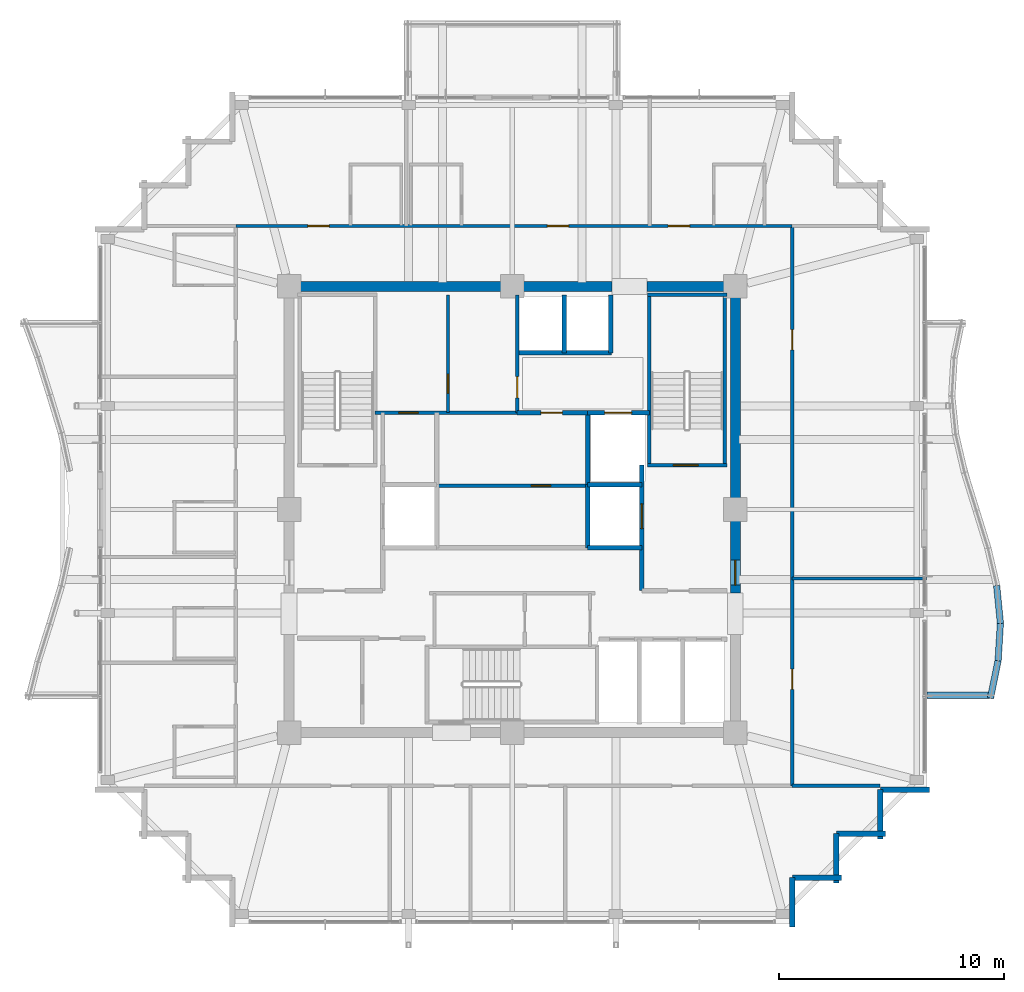
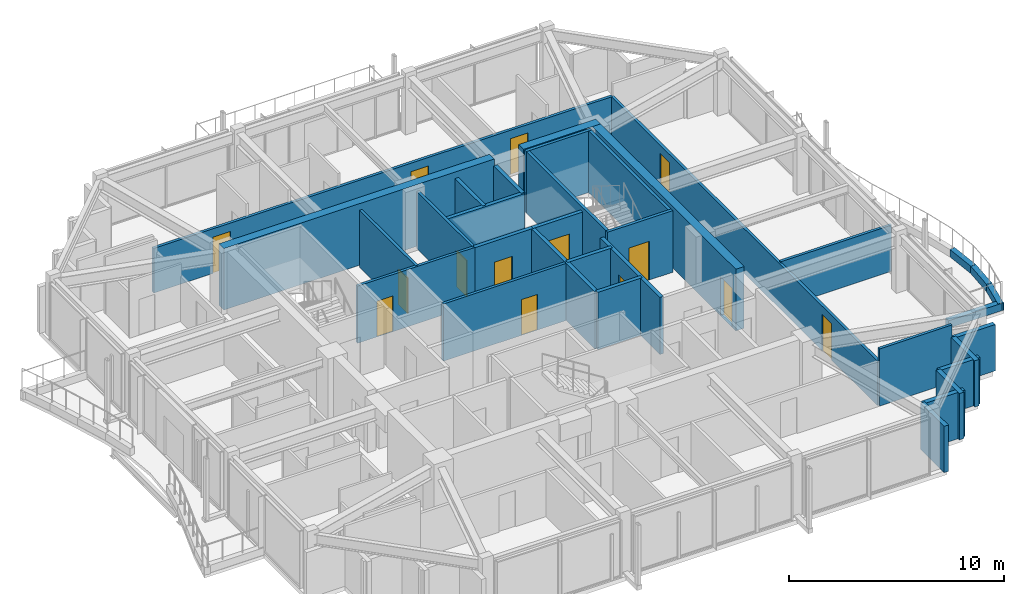
# One storey, part 28 of 31: 35 walls, 14 doors, 14 openings.
"""IFC4 building model written with IfcOpenShell, lengths in metres."""

import ifcopenshell
import ifcopenshell.guid

model = None  # the IFC model being written
_history = None  # IfcOwnerHistory: only IFC2X3 demands one
_inside = {}  # id of a spatial element -> (the spatial element, [elements in it])
_under = {}  # id of a project, library or spatial element -> (it, [spatial elements below it])
_declared = {}  # id of a project -> (the project, [libraries it declares])
_typed = {}  # id of a type object -> (the type object, [elements of that type])
_made_of = {}  # id of a material, layer set ... -> (it, [elements and type objects made of it])


def new_model(schema):
    """Start an empty IFC model of exactly this schema.

    Asked for "IFC4X3", IfcOpenShell would pick the latest addendum, in which some entities
    have other attributes; the version numbers below select the first issue.
    IFC2X3 requires an IfcOwnerHistory on every rooted entity: one is made here for all.
    """
    global model, _history
    if schema == "IFC4X3":
        model = ifcopenshell.file(schema_version=(4, 3, 0, 0))
    else:
        model = ifcopenshell.file(schema=schema)
    _inside.clear()
    _under.clear()
    _declared.clear()
    _typed.clear()
    _made_of.clear()
    _history = None
    if model.schema == "IFC2X3":
        org = make("IfcOrganization", Name="unknown")
        user = make(
            "IfcPersonAndOrganization",
            ThePerson=make("IfcPerson", FamilyName="unknown"),
            TheOrganization=org,
        )
        app = make(
            "IfcApplication",
            ApplicationDeveloper=org,
            Version="unknown",
            ApplicationFullName="unknown",
            ApplicationIdentifier="unknown",
        )
        _history = make(
            "IfcOwnerHistory",
            OwningUser=user,
            OwningApplication=app,
            ChangeAction="ADDED",
            CreationDate=0,
        )
    return model


def make(cls, **values):
    """One entity of the class cls with the attributes given. An attribute that is None is left unset."""
    return model.create_entity(
        cls, **{name: value for name, value in values.items() if value is not None}
    )


def rooted(cls, **values):
    """An entity with a GlobalId (a new one), such as an element, a storey or a relation."""
    return make(cls, GlobalId=ifcopenshell.guid.new(), OwnerHistory=_history, **values)


def si_unit(unit_type, name, prefix=None):
    """IfcSIUnit, for example si_unit("LENGTHUNIT", "METRE", prefix="MILLI")."""
    return make("IfcSIUnit", UnitType=unit_type, Prefix=prefix, Name=name)


def assignment(units):
    """IfcUnitAssignment: the units of a project."""
    return None if units is None else make("IfcUnitAssignment", Units=units)


def point(xyz):
    """IfcCartesianPoint."""
    return None if xyz is None else make("IfcCartesianPoint", Coordinates=xyz)


def direction(xyz):
    """IfcDirection."""
    return None if xyz is None else make("IfcDirection", DirectionRatios=xyz)


def frame(location, z_axis=None, x_axis=None):
    """IfcAxis2Placement3D, a coordinate frame: its origin and axes. An axis left out is left unset."""
    return make(
        "IfcAxis2Placement3D",
        Location=point(location),
        Axis=direction(z_axis),
        RefDirection=direction(x_axis),
    )


def frame_2d(location, x_axis=None):
    """IfcAxis2Placement2D, a coordinate frame in the plane: its origin and x axis."""
    return make(
        "IfcAxis2Placement2D", Location=point(location), RefDirection=direction(x_axis)
    )


def origin():
    """The frame at (0, 0, 0) with its axes left unset."""
    return frame((0.0, 0.0, 0.0))


def place(relative_to, where):
    """IfcLocalPlacement: puts the frame where relative to a parent placement (None: the world)."""
    return make(
        "IfcLocalPlacement", PlacementRelTo=relative_to, RelativePlacement=where
    )


def context(
    kind, dimensions, precision=None, world=None, true_north=None, identifier=None
):
    """IfcGeometricRepresentationContext, for example the 3D "Model" context."""
    return make(
        "IfcGeometricRepresentationContext",
        ContextIdentifier=identifier,
        ContextType=kind,
        CoordinateSpaceDimension=dimensions,
        Precision=precision,
        WorldCoordinateSystem=world,
        TrueNorth=true_north,
    )


def subcontext(parent, identifier, kind, view, scale=None):
    """IfcGeometricRepresentationSubContext, for example "Body" below "Model"."""
    return make(
        "IfcGeometricRepresentationSubContext",
        ContextIdentifier=identifier,
        ContextType=kind,
        ParentContext=parent,
        TargetScale=scale,
        TargetView=view,
    )


def project(units=None, contexts=None):
    """IfcProject with its units and contexts."""
    return rooted(
        "IfcProject",
        Name="project",
        RepresentationContexts=contexts,
        UnitsInContext=assignment(units),
    )


def spatial(cls, under=None, at=None, **own):
    """A site, building, storey or space (cls), placed at a placement, below another one or the project."""
    s = rooted(cls, ObjectPlacement=at, **own)
    if under is not None:
        _under.setdefault(under.id(), (under, []))[1].append(s)
    return s


def profile(cls, at=None, kind="AREA", **sizes):
    """A parametric profile (cls). Its sizes go by their IFC names, for example OverallWidth=200.0."""
    return make(cls, ProfileType=kind, Position=at, **sizes)


def rectangle(**sizes):
    """IfcRectangleProfileDef."""
    return profile("IfcRectangleProfileDef", **sizes)


def extrude(swept, where, along, depth):
    """IfcExtrudedAreaSolid: the profile swept, set in the frame where, extruded along a direction by depth."""
    return make(
        "IfcExtrudedAreaSolid",
        SweptArea=swept,
        Position=where,
        ExtrudedDirection=direction(along),
        Depth=depth,
    )


def shape(context_of_items, identifier, shape_type, items):
    """IfcShapeRepresentation: the items that make up one representation, for example the "Body"."""
    return make(
        "IfcShapeRepresentation",
        ContextOfItems=context_of_items,
        RepresentationIdentifier=identifier,
        RepresentationType=shape_type,
        Items=items,
    )


def material(Name=None, Category=None):
    """IfcMaterial."""
    return make("IfcMaterial", Name=Name, Category=Category)


def layer(
    of_material, thickness, ventilated=None, Name=None, Category=None, Priority=None
):
    """IfcMaterialLayer: one layer of a wall or slab, of a material (None: an air gap)."""
    return make(
        "IfcMaterialLayer",
        Material=of_material,
        LayerThickness=thickness,
        IsVentilated=ventilated,
        Name=Name,
        Category=Category,
        Priority=Priority,
    )


def layer_set(layers, Name=None):
    """IfcMaterialLayerSet."""
    return make("IfcMaterialLayerSet", MaterialLayers=layers, LayerSetName=Name)


def made_of(thing, what):
    """Note that an element or type object is made of a material, layer set ...; save() writes the relation."""
    if what is not None:
        _made_of.setdefault(what.id(), (what, []))[1].append(thing)
    return thing


def type_object(cls, material=None, **own):
    """A type object (cls), such as IfcWallType, which elements share."""
    return made_of(rooted(cls, **own), material)


def element(
    cls,
    number,
    at=None,
    inside=None,
    cuts=None,
    type_object=None,
    material=None,
    context=None,
    identifier="Body",
    shape_type=None,
    held_by="IfcProductDefinitionShape",
    body=None,
    shapes=None,
    **own,
):
    """One element of the class cls, such as IfcWall. Its Tag is "e" and its number.

    at: its placement. inside: the storey or other place that contains it. cuts: it is an
    opening in that element (IfcRelVoidsElement). A single representation is given by context,
    identifier, shape_type and body (its items); several are given by shapes. held_by: the class
    of the entity that holds the representations. save() writes the other relations.
    """
    e = rooted(cls, Tag="e%d" % number, ObjectPlacement=at, **own)
    if body is not None:
        shapes = [shape(context, identifier, shape_type, body)]
    if shapes is not None:
        e.Representation = make(held_by, Representations=shapes)
    if inside is not None:
        _inside.setdefault(inside.id(), (inside, []))[1].append(e)
    if cuts is not None:
        rooted(
            "IfcRelVoidsElement", RelatingBuildingElement=cuts, RelatedOpeningElement=e
        )
    if type_object is not None:
        _typed.setdefault(type_object.id(), (type_object, []))[1].append(e)
    return made_of(e, material)


def fill(opening, filler):
    """IfcRelFillsElement: the door or window that sits in an opening."""
    return rooted(
        "IfcRelFillsElement",
        RelatingOpeningElement=opening,
        RelatedBuildingElement=filler,
    )


def aggregate(whole, parts):
    """IfcRelAggregates: a whole, such as a stair, and the parts it consists of."""
    return rooted("IfcRelAggregates", RelatingObject=whole, RelatedObjects=parts)


def save(model, path):
    """Write the relations noted so far, then the file.

    IfcRelAggregates (storeys below a building ...), IfcRelContainedInSpatialStructure (elements
    in a storey), IfcRelDefinesByType, IfcRelAssociatesMaterial and IfcRelDeclares: one each for
    every whole, place, type object, material and project.
    """
    for whole, parts in _under.values():
        aggregate(whole, parts)
    for where, things in _inside.values():
        rooted(
            "IfcRelContainedInSpatialStructure",
            RelatedElements=things,
            RelatingStructure=where,
        )
    for kind, things in _typed.values():
        rooted("IfcRelDefinesByType", RelatedObjects=things, RelatingType=kind)
    for what, things in _made_of.values():
        rooted("IfcRelAssociatesMaterial", RelatedObjects=things, RelatingMaterial=what)
    for by, libraries in _declared.values():
        rooted("IfcRelDeclares", RelatingContext=by, RelatedDefinitions=libraries)
    model.write(path)


model = new_model("IFC4")

# Units and contexts
model_context = context("Model", 3, precision=1e-05, world=origin(), true_north=direction((0.0, 1.0)))
body_context = subcontext(model_context, "Body", "Model", "MODEL_VIEW")
ifc_project = project(units=[si_unit("LENGTHUNIT", "METRE"), si_unit("AREAUNIT", "SQUARE_METRE"), si_unit("VOLUMEUNIT", "CUBIC_METRE"), si_unit("PLANEANGLEUNIT", "RADIAN"), si_unit("MASSUNIT", "GRAM", prefix="KILO")], contexts=[model_context])

# Site, building, storey
site_placement = place(None, origin())
site = spatial("IfcSite", under=ifc_project, at=site_placement, CompositionType="ELEMENT")
building_placement = place(site_placement, origin())
building = spatial("IfcBuilding", under=site, at=building_placement, Name="Kolvaren Belvedere", CompositionType="ELEMENT")
storey_placement = place(building_placement, frame((0.0, 0.0, 251.39990234375)))
storey = spatial("IfcBuildingStorey", under=building, at=storey_placement, Name="L73", CompositionType="ELEMENT", Elevation=251.39990234375)

# Walls
ifc_material_1 = material(Name="Concrete C50/60", Category="concrete")
ifc_layer_1 = layer(ifc_material_1, 0.449951171875)
ifc_layer_set_1 = layer_set([ifc_layer_1], Name="Concrete C50/60")
wall_type_1 = type_object("IfcWallType", Name="CW-CORE-450", PredefinedType="SHEAR", material=ifc_layer_set_1)
wall_1_placement = place(storey_placement, frame((-10.125, 9.89990234375, 0.0), z_axis=(0.0, 0.0, 1.0), x_axis=(1.0, 0.0, 0.0)))
element("IfcWall", 1, at=wall_1_placement, inside=storey, type_object=wall_type_1, Name="L73 North Core Shear Wall 1", PredefinedType="SHEAR", context=body_context, shape_type="SweptSolid", body=[
    extrude(rectangle(XDim=14.544921875, YDim=0.449951171875, at=frame_2d((7.2724609375, 0.0))), origin(), (0.0, 0.0, 1.0), 3.5),
])
wall_2_placement = place(storey_placement, frame((5.97998046875, 9.89990234375, 0.0), z_axis=(0.0, 0.0, 1.0), x_axis=(1.0, 0.0, 0.0)))
element("IfcWall", 2, at=wall_2_placement, inside=storey, type_object=wall_type_1, Name="L73 North Core Shear Wall 2", PredefinedType="SHEAR", context=body_context, shape_type="SweptSolid", body=[
    extrude(rectangle(XDim=4.14501953125, YDim=0.449951171875, at=frame_2d((2.072509765625, 0.0))), origin(), (0.0, 0.0, 1.0), 3.5),
])

# Wall, opening, door
wall_3_placement = place(storey_placement, frame((9.89990234375, -3.699951171875, 0.0), z_axis=(0.0, 0.0, 1.0), x_axis=(0.0, 1.0, 0.0)))
wall_3 = element("IfcWall", 3, at=wall_3_placement, inside=storey, type_object=wall_type_1, Name="L73 East Core Shear Wall 2", PredefinedType="SHEAR", context=body_context, shape_type="SweptSolid", body=[
    extrude(rectangle(XDim=13.375, YDim=0.449951171875, at=frame_2d((6.6875, 0.0))), origin(), (0.0, 0.0, 1.0), 3.5),
])
opening_1_placement = place(wall_3_placement, frame((0.35009765625, 0.0, 0.0)))
opening_1 = element("IfcOpeningElement", 4, at=opening_1_placement, cuts=wall_3, Name="Opening D-FD90", PredefinedType="OPENING", context=body_context, shape_type="SweptSolid", body=[
    extrude(rectangle(XDim=1.10009765625, YDim=2.199951171875, at=frame_2d((0.550048828125, 1.10009765625))), frame((0.0, 0.23486328125, 0.0), z_axis=(0.0, -1.0, 0.0), x_axis=(1.0, 0.0, 0.0)), (0.0, 0.0, 1.0), 0.469970703125),
])
ifc_material_2 = material(Name="Painted hollow stainless steel", Category="steel")
door_type_1 = type_object("IfcDoorType", Name="DR-FD90-1100", OperationType="NOTDEFINED", PredefinedType="DOOR", material=ifc_material_2)
door_1_placement = place(opening_1_placement, origin())
door_1 = element("IfcDoor", 5, at=door_1_placement, inside=storey, type_object=door_type_1, Name="L73 East Firefighting Lobby Fire Door", OperationType="SINGLE_SWING_RIGHT", OverallHeight=2.199951171875, OverallWidth=1.10009765625, PredefinedType="DOOR", context=body_context, shape_type="SweptSolid", body=[
    extrude(rectangle(XDim=1.10009765625, YDim=2.199951171875, at=frame_2d((0.550048828125, 1.10009765625))), frame((0.0, 0.02490234375, 0.0), z_axis=(0.0, -1.0, 0.0), x_axis=(1.0, 0.0, 0.0)), (0.0, 0.0, 1.0), 0.050048828125),
])
fill(opening_1, door_1)

ifc_material_3 = material(Name="Concrete C50/60", Category="concrete")
ifc_layer_2 = layer(ifc_material_3, 0.159912109375)
ifc_layer_set_2 = layer_set([ifc_layer_2], Name="Concrete C50/60")
wall_type_2 = type_object("IfcWallType", Name="CW-STAIR-160", PredefinedType="SHEAR", material=ifc_layer_set_2)
wall_4_placement = place(storey_placement, frame((6.0, 1.969970703125, 0.0), z_axis=(0.0, 0.0, 1.0), x_axis=(1.0, 0.0, 0.0)))
wall_4 = element("IfcWall", 6, at=wall_4_placement, inside=storey, type_object=wall_type_2, Name="L73 Stair ST-2 South Shear Wall", PredefinedType="SHEAR", context=body_context, shape_type="SweptSolid", body=[
    extrude(rectangle(XDim=3.52001953125, YDim=0.159912109375, at=frame_2d((1.760009765625, 0.0))), origin(), (0.0, 0.0, 1.0), 3.5),
])
opening_2_placement = place(wall_4_placement, frame((1.14990234375, 0.0, 0.0)))
opening_2 = element("IfcOpeningElement", 7, at=opening_2_placement, cuts=wall_4, Name="Opening D-FD90", PredefinedType="OPENING", context=body_context, shape_type="SweptSolid", body=[
    extrude(rectangle(XDim=1.10009765625, YDim=2.199951171875, at=frame_2d((0.550048828125, 1.10009765625))), frame((0.0, 0.08984375, 0.0), z_axis=(0.0, -1.0, 0.0), x_axis=(1.0, 0.0, 0.0)), (0.0, 0.0, 1.0), 0.179931640625),
])
door_2_placement = place(opening_2_placement, origin())
door_2 = element("IfcDoor", 8, at=door_2_placement, inside=storey, type_object=door_type_1, Name="L73 Stair ST-2 Fire Door", OperationType="SINGLE_SWING_RIGHT", OverallHeight=2.199951171875, OverallWidth=1.10009765625, PredefinedType="DOOR", context=body_context, shape_type="SweptSolid", body=[
    extrude(rectangle(XDim=1.10009765625, YDim=2.199951171875, at=frame_2d((0.550048828125, 1.10009765625))), frame((0.0, 0.02490234375, 0.0), z_axis=(0.0, -1.0, 0.0), x_axis=(1.0, 0.0, 0.0)), (0.0, 0.0, 1.0), 0.050048828125),
])
fill(opening_2, door_2)

# Walls
wall_5_placement = place(storey_placement, frame((6.0, 9.530029296875, 0.0), z_axis=(0.0, 0.0, 1.0), x_axis=(1.0, 0.0, 0.0)))
element("IfcWall", 9, at=wall_5_placement, inside=storey, type_object=wall_type_2, Name="L73 Stair ST-2 North Shear Wall", PredefinedType="SHEAR", context=body_context, shape_type="SweptSolid", body=[
    extrude(rectangle(XDim=3.52001953125, YDim=0.159912109375, at=frame_2d((1.760009765625, 0.0))), origin(), (0.0, 0.0, 1.0), 3.5),
])
for number, where, z_axis, x_axis, name in (
    (10, (6.080078125, 1.969970703125, 0.0), (0.0, 0.0, 1.0), (0.0, 1.0, 0.0), "L73 Stair ST-2 West Shear Wall"),
    (11, (9.429931640625, 1.969970703125, 0.0), (0.0, 0.0, 1.0), (0.0, 1.0, 0.0), "L73 Stair ST-2 East Shear Wall"),
):
    element("IfcWall", number, at=place(storey_placement, frame(where, z_axis=z_axis, x_axis=x_axis)), inside=storey, type_object=wall_type_2, Name=name, PredefinedType="SHEAR", context=body_context, shape_type="SweptSolid", body=[
        extrude(rectangle(XDim=7.56005859375, YDim=0.159912109375, at=frame_2d((3.780029296875, 0.0))), origin(), (0.0, 0.0, 1.0), 3.5),
    ])

# Wall, openings, doors
ifc_material_4 = material(Name="Gypsum fire-rated partition assembly", Category="gypsum")
ifc_layer_3 = layer(ifc_material_4, 0.14990234375)
ifc_layer_set_3 = layer_set([ifc_layer_3], Name="Gypsum fire-rated partition assembly")
wall_type_3 = type_object("IfcWallType", Name="WL-CORR-150", PredefinedType="PARTITIONING", material=ifc_layer_set_3)
wall_6_placement = place(storey_placement, frame((-12.260009765625, 12.580078125, 0.0), z_axis=(0.0, 0.0, 1.0), x_axis=(1.0, 0.0, 0.0)))
wall_6 = element("IfcWall", 12, at=wall_6_placement, inside=storey, type_object=wall_type_3, Name="L73 North Corridor Wall", PredefinedType="PARTITIONING", context=body_context, shape_type="SweptSolid", body=[
    extrude(rectangle(XDim=24.679931640625, YDim=0.14990234375, at=frame_2d((12.33984375, 0.0))), origin(), (0.0, 0.0, 1.0), 2.5390625),
])
opening_3_placement = place(wall_6_placement, frame((3.1875, 0.0, 0.0)))
opening_3 = element("IfcOpeningElement", 13, at=opening_3_placement, cuts=wall_6, Name="Opening D-FD60", PredefinedType="OPENING", context=body_context, shape_type="SweptSolid", body=[
    extrude(rectangle(XDim=0.949951171875, YDim=2.06005859375, at=frame_2d((0.47509765625, 1.030029296875))), frame((0.0, 0.0849609375, 0.0), z_axis=(0.0, -1.0, 0.0), x_axis=(1.0, 0.0, 0.0)), (0.0, 0.0, 1.0), 0.169921875),
])
opening_4_placement = place(wall_6_placement, frame((13.81494140625, 0.0, 0.0)))
opening_4 = element("IfcOpeningElement", 14, at=opening_4_placement, cuts=wall_6, Name="Opening D-FD60", PredefinedType="OPENING", context=body_context, shape_type="SweptSolid", body=[
    extrude(rectangle(XDim=0.949951171875, YDim=2.06005859375, at=frame_2d((0.47509765625, 1.030029296875))), frame((0.0, 0.0849609375, 0.0), z_axis=(0.0, -1.0, 0.0), x_axis=(1.0, 0.0, 0.0)), (0.0, 0.0, 1.0), 0.169921875),
])
opening_5_placement = place(wall_6_placement, frame((19.178466796875, 0.0, 0.0)))
opening_5 = element("IfcOpeningElement", 15, at=opening_5_placement, cuts=wall_6, Name="Opening D-FD60", PredefinedType="OPENING", context=body_context, shape_type="SweptSolid", body=[
    extrude(rectangle(XDim=0.949951171875, YDim=2.06005859375, at=frame_2d((0.47509765625, 1.030029296875))), frame((0.0, 0.0849609375, 0.0), z_axis=(0.0, -1.0, 0.0), x_axis=(1.0, 0.0, 0.0)), (0.0, 0.0, 1.0), 0.169921875),
])
ifc_material_5 = material(Name="Acoustic white-oak fire door leaf", Category="timber")
door_type_2 = type_object("IfcDoorType", Name="DR-FD60-950", OperationType="NOTDEFINED", PredefinedType="DOOR", material=ifc_material_5)
door_3_placement = place(opening_3_placement, origin())
door_3 = element("IfcDoor", 16, at=door_3_placement, inside=storey, type_object=door_type_2, Name="L73 Botanical Hospitality Suite 7309 Entry Door", OperationType="SINGLE_SWING_RIGHT", OverallHeight=2.06005859375, OverallWidth=0.949951171875, PredefinedType="DOOR", context=body_context, shape_type="SweptSolid", body=[
    extrude(rectangle(XDim=0.949951171875, YDim=2.06005859375, at=frame_2d((0.47509765625, 1.030029296875))), frame((0.0, 0.02490234375, 0.0), z_axis=(0.0, -1.0, 0.0), x_axis=(1.0, 0.0, 0.0)), (0.0, 0.0, 1.0), 0.050048828125),
])
fill(opening_3, door_3)
door_4_placement = place(opening_4_placement, origin())
door_4 = element("IfcDoor", 17, at=door_4_placement, inside=storey, type_object=door_type_2, Name="L73 King Guest Room 7310 Entry Door", OperationType="SINGLE_SWING_RIGHT", OverallHeight=2.06005859375, OverallWidth=0.949951171875, PredefinedType="DOOR", context=body_context, shape_type="SweptSolid", body=[
    extrude(rectangle(XDim=0.949951171875, YDim=2.06005859375, at=frame_2d((0.47509765625, 1.030029296875))), frame((0.0, 0.02490234375, 0.0), z_axis=(0.0, -1.0, 0.0), x_axis=(1.0, 0.0, 0.0)), (0.0, 0.0, 1.0), 0.050048828125),
])
fill(opening_4, door_4)
door_5_placement = place(opening_5_placement, origin())
door_5 = element("IfcDoor", 18, at=door_5_placement, inside=storey, type_object=door_type_2, Name="L73 King Guest Room 7311 Entry Door", OperationType="SINGLE_SWING_RIGHT", OverallHeight=2.06005859375, OverallWidth=0.949951171875, PredefinedType="DOOR", context=body_context, shape_type="SweptSolid", body=[
    extrude(rectangle(XDim=0.949951171875, YDim=2.06005859375, at=frame_2d((0.47509765625, 1.030029296875))), frame((0.0, 0.02490234375, 0.0), z_axis=(0.0, -1.0, 0.0), x_axis=(1.0, 0.0, 0.0)), (0.0, 0.0, 1.0), 0.050048828125),
])
fill(opening_5, door_5)

wall_7_placement = place(storey_placement, frame((12.419921875, -12.260009765625, 0.0), z_axis=(0.0, 0.0, 1.0), x_axis=(0.0, 1.0, 0.0)))
wall_7 = element("IfcWall", 19, at=wall_7_placement, inside=storey, type_object=wall_type_3, Name="L73 East Corridor Wall", PredefinedType="PARTITIONING", context=body_context, shape_type="SweptSolid", body=[
    extrude(rectangle(XDim=24.840087890625, YDim=0.14990234375, at=frame_2d((12.419921875, 0.0))), origin(), (0.0, 0.0, 1.0), 2.5390625),
])
opening_6_placement = place(wall_7_placement, frame((4.27490234375, 0.0, 0.0)))
opening_6 = element("IfcOpeningElement", 20, at=opening_6_placement, cuts=wall_7, Name="Opening D-INT90", PredefinedType="OPENING", context=body_context, shape_type="SweptSolid", body=[
    extrude(rectangle(XDim=0.89990234375, YDim=2.06005859375, at=frame_2d((0.449951171875, 1.030029296875))), frame((0.0, 0.0849609375, 0.0), z_axis=(0.0, -1.0, 0.0), x_axis=(1.0, 0.0, 0.0)), (0.0, 0.0, 1.0), 0.169921875),
])
opening_7_placement = place(wall_7_placement, frame((19.344970703125, 0.0, 0.0)))
opening_7 = element("IfcOpeningElement", 21, at=opening_7_placement, cuts=wall_7, Name="Opening D-INT90", PredefinedType="OPENING", context=body_context, shape_type="SweptSolid", body=[
    extrude(rectangle(XDim=0.89990234375, YDim=2.06005859375, at=frame_2d((0.449951171875, 1.030029296875))), frame((0.0, 0.0849609375, 0.0), z_axis=(0.0, -1.0, 0.0), x_axis=(1.0, 0.0, 0.0)), (0.0, 0.0, 1.0), 0.169921875),
])
ifc_material_6 = material(Name="Stained Pacific white oak", Category="timber")
door_type_3 = type_object("IfcDoorType", Name="DR-INT-900", OperationType="NOTDEFINED", PredefinedType="DOOR", material=ifc_material_6)
door_6_placement = place(opening_6_placement, origin())
door_6 = element("IfcDoor", 22, at=door_6_placement, inside=storey, type_object=door_type_3, Name="L73 Private Hospitality Meeting Room 7303 Door", OperationType="SINGLE_SWING_LEFT", OverallHeight=2.06005859375, OverallWidth=0.89990234375, PredefinedType="DOOR", context=body_context, shape_type="SweptSolid", body=[
    extrude(rectangle(XDim=0.89990234375, YDim=2.06005859375, at=frame_2d((0.449951171875, 1.030029296875))), frame((0.0, 0.02490234375, 0.0), z_axis=(0.0, -1.0, 0.0), x_axis=(1.0, 0.0, 0.0)), (0.0, 0.0, 1.0), 0.050048828125),
])
fill(opening_6, door_6)
door_7_placement = place(opening_7_placement, origin())
door_7 = element("IfcDoor", 23, at=door_7_placement, inside=storey, type_object=door_type_3, Name="L73 Lounge 7304 Door", OperationType="SINGLE_SWING_RIGHT", OverallHeight=2.06005859375, OverallWidth=0.89990234375, PredefinedType="DOOR", context=body_context, shape_type="SweptSolid", body=[
    extrude(rectangle(XDim=0.89990234375, YDim=2.06005859375, at=frame_2d((0.449951171875, 1.030029296875))), frame((0.0, 0.02490234375, 0.0), z_axis=(0.0, -1.0, 0.0), x_axis=(1.0, 0.0, 0.0)), (0.0, 0.0, 1.0), 0.050048828125),
])
fill(opening_7, door_7)

# Walls
ifc_material_7 = material(Name="Insulated pale-metal facade wall assembly", Category="aluminium")
ifc_layer_4 = layer(ifc_material_7, 0.239990234375)
ifc_layer_set_4 = layer_set([ifc_layer_4], Name="Insulated pale-metal facade wall assembly")
wall_type_4 = type_object("IfcWallType", Name="WL-EXT-240", PredefinedType="STANDARD", material=ifc_layer_set_4)
wall_8_placement = place(storey_placement, frame((12.429931640625, -16.330078125, 0.0), z_axis=(0.0, 0.0, 1.0), x_axis=(0.0, -1.0, 0.0)))
element("IfcWall", 24, at=wall_8_placement, inside=storey, type_object=wall_type_4, Name="L73 Serrated Corner Facade Wall 2", PredefinedType="STANDARD", context=body_context, shape_type="SweptSolid", body=[
    extrude(rectangle(XDim=2.18994140625, YDim=0.239990234375, at=frame_2d((1.094970703125, 0.0))), origin(), (0.0, 0.0, 1.0), 2.633056640625),
])
for number, where, z_axis, x_axis, name in (
    (25, (14.6201171875, -16.330078125, 0.0), (0.0, 0.0, 1.0), (-1.0, 0.0, 0.0), "L73 Serrated Corner Facade Wall 3"),
    (26, (14.3798828125, -14.3798828125, 0.0), (0.0, 0.0, 1.0), (0.0, -1.0, 0.0), "L73 Serrated Corner Facade Wall 4"),
    (27, (16.570068359375, -14.3798828125, 0.0), (0.0, 0.0, 1.0), (-1.0, 0.0, 0.0), "L73 Serrated Corner Facade Wall 5"),
    (28, (16.330078125, -12.429931640625, 0.0), (0.0, 0.0, 1.0), (0.0, -1.0, 0.0), "L73 Serrated Corner Facade Wall 6"),
):
    element("IfcWall", number, at=place(storey_placement, frame(where, z_axis=z_axis, x_axis=x_axis)), inside=storey, type_object=wall_type_4, Name=name, PredefinedType="STANDARD", context=body_context, shape_type="SweptSolid", body=[
        extrude(rectangle(XDim=2.190185546875, YDim=0.239990234375, at=frame_2d((1.09521484375, 0.0))), origin(), (0.0, 0.0, 1.0), 2.633056640625),
    ])
wall_9_placement = place(storey_placement, frame((18.52001953125, -12.429931640625, 0.0), z_axis=(0.0, 0.0, 1.0), x_axis=(-1.0, 0.0, 0.0)))
element("IfcWall", 29, at=wall_9_placement, inside=storey, type_object=wall_type_4, Name="L73 Serrated Corner Facade Wall 7", PredefinedType="STANDARD", context=body_context, shape_type="SweptSolid", body=[
    extrude(rectangle(XDim=2.18994140625, YDim=0.239990234375, at=frame_2d((1.094970703125, 0.0))), origin(), (0.0, 0.0, 1.0), 2.633056640625),
])

# Wall, opening, door
ifc_material_8 = material(Name="Gypsum acoustic partition assembly", Category="gypsum")
ifc_layer_5 = layer(ifc_material_8, 0.14990234375)
ifc_layer_set_5 = layer_set([ifc_layer_5], Name="Gypsum acoustic partition assembly")
wall_type_5 = type_object("IfcWallType", Name="WL-PART-150", PredefinedType="PARTITIONING", material=ifc_layer_set_5)
wall_10_placement = place(storey_placement, frame((-6.080078125, 4.300048828125, 0.0), z_axis=(0.0, 0.0, 1.0), x_axis=(1.0, 0.0, 0.0)))
wall_10 = element("IfcWall", 30, at=wall_10_placement, inside=storey, type_object=wall_type_5, Name="L73 Reclaimed Salon South Wall", PredefinedType="PARTITIONING", context=body_context, shape_type="SweptSolid", body=[
    extrude(rectangle(XDim=6.300048828125, YDim=0.14990234375, at=frame_2d((3.14990234375, 0.0))), origin(), (0.0, 0.0, 1.0), 3.25),
])
opening_8_placement = place(wall_10_placement, frame((1.050048828125, 0.0, 0.0)))
opening_8 = element("IfcOpeningElement", 31, at=opening_8_placement, cuts=wall_10, Name="Opening D-INT85", PredefinedType="OPENING", context=body_context, shape_type="SweptSolid", body=[
    extrude(rectangle(XDim=0.85009765625, YDim=2.030029296875, at=frame_2d((0.425048828125, 1.01513671875))), frame((0.0, 0.0849609375, 0.0), z_axis=(0.0, -1.0, 0.0), x_axis=(1.0, 0.0, 0.0)), (0.0, 0.0, 1.0), 0.169921875),
])
ifc_material_9 = material(Name="Stained Pacific white oak", Category="timber")
door_type_4 = type_object("IfcDoorType", Name="DR-INT-850", OperationType="NOTDEFINED", PredefinedType="DOOR", material=ifc_material_9)
door_8_placement = place(opening_8_placement, origin())
door_8 = element("IfcDoor", 32, at=door_8_placement, inside=storey, type_object=door_type_4, Name="L73 NW Core Store Door", OperationType="SINGLE_SWING_RIGHT", OverallHeight=2.030029296875, OverallWidth=0.85009765625, PredefinedType="DOOR", context=body_context, shape_type="SweptSolid", body=[
    extrude(rectangle(XDim=0.85009765625, YDim=2.030029296875, at=frame_2d((0.425048828125, 1.01513671875))), frame((0.0, 0.02490234375, 0.0), z_axis=(0.0, -1.0, 0.0), x_axis=(1.0, 0.0, 0.0)), (0.0, 0.0, 1.0), 0.050048828125),
])
fill(opening_8, door_8)

wall_11_placement = place(storey_placement, frame((0.219970703125, 4.300048828125, 0.0), z_axis=(0.0, 0.0, 1.0), x_axis=(0.0, 1.0, 0.0)))
wall_11 = element("IfcWall", 33, at=wall_11_placement, inside=storey, type_object=wall_type_5, Name="L73 Reclaimed Salon East Wall", PredefinedType="PARTITIONING", context=body_context, shape_type="SweptSolid", body=[
    extrude(rectangle(XDim=5.219970703125, YDim=0.14990234375, at=frame_2d((2.60986328125, 0.0))), origin(), (0.0, 0.0, 1.0), 3.25),
])
opening_9_placement = place(wall_11_placement, frame((0.64990234375, 0.0, 0.0)))
opening_9 = element("IfcOpeningElement", 34, at=opening_9_placement, cuts=wall_11, Name="Opening D-INT95", PredefinedType="OPENING", context=body_context, shape_type="SweptSolid", body=[
    extrude(rectangle(XDim=0.949951171875, YDim=2.06005859375, at=frame_2d((0.47509765625, 1.030029296875))), frame((0.0, 0.0849609375, 0.0), z_axis=(0.0, -1.0, 0.0), x_axis=(1.0, 0.0, 0.0)), (0.0, 0.0, 1.0), 0.169921875),
])
ifc_material_10 = material(Name="Stained Pacific white oak", Category="timber")
door_type_5 = type_object("IfcDoorType", Name="DR-INT-950", OperationType="NOTDEFINED", PredefinedType="DOOR", material=ifc_material_10)
door_9_placement = place(opening_9_placement, origin())
door_9 = element("IfcDoor", 35, at=door_9_placement, inside=storey, type_object=door_type_5, Name="L73 Sky Boardroom Door", OperationType="SINGLE_SWING_LEFT", OverallHeight=2.06005859375, OverallWidth=0.949951171875, PredefinedType="DOOR", context=body_context, shape_type="SweptSolid", body=[
    extrude(rectangle(XDim=0.949951171875, YDim=2.06005859375, at=frame_2d((0.47509765625, 1.030029296875))), frame((0.0, 0.02490234375, 0.0), z_axis=(0.0, -1.0, 0.0), x_axis=(1.0, 0.0, 0.0)), (0.0, 0.0, 1.0), 0.050048828125),
])
fill(opening_9, door_9)

wall_12_placement = place(storey_placement, frame((-2.85009765625, 4.300048828125, 0.0), z_axis=(0.0, 0.0, 1.0), x_axis=(0.0, 1.0, 0.0)))
wall_12 = element("IfcWall", 36, at=wall_12_placement, inside=storey, type_object=wall_type_5, Name="L73 Reclaimed Salon Divider", PredefinedType="PARTITIONING", context=body_context, shape_type="SweptSolid", body=[
    extrude(rectangle(XDim=5.219970703125, YDim=0.14990234375, at=frame_2d((2.60986328125, 0.0))), origin(), (0.0, 0.0, 1.0), 3.25),
])
opening_10_placement = place(wall_12_placement, frame((0.85009765625, 0.0, 0.0)))
opening_10 = element("IfcOpeningElement", 37, at=opening_10_placement, cuts=wall_12, Name="Opening D-INT85", PredefinedType="OPENING", context=body_context, shape_type="SweptSolid", body=[
    extrude(rectangle(XDim=0.85009765625, YDim=2.030029296875, at=frame_2d((0.425048828125, 1.01513671875))), frame((0.0, 0.0849609375, 0.0), z_axis=(0.0, -1.0, 0.0), x_axis=(1.0, 0.0, 0.0)), (0.0, 0.0, 1.0), 0.169921875),
])
door_10_placement = place(opening_10_placement, origin())
door_10 = element("IfcDoor", 38, at=door_10_placement, inside=storey, type_object=door_type_4, Name="L73 Beverage Pantry Door", OperationType="SINGLE_SWING_RIGHT", OverallHeight=2.030029296875, OverallWidth=0.85009765625, PredefinedType="DOOR", context=body_context, shape_type="SweptSolid", body=[
    extrude(rectangle(XDim=0.85009765625, YDim=2.030029296875, at=frame_2d((0.425048828125, 1.01513671875))), frame((0.0, 0.02490234375, 0.0), z_axis=(0.0, -1.0, 0.0), x_axis=(1.0, 0.0, 0.0)), (0.0, 0.0, 1.0), 0.050048828125),
])
fill(opening_10, door_10)

wall_13_placement = place(storey_placement, frame((-3.35009765625, 1.050048828125, 0.0), z_axis=(0.0, 0.0, 1.0), x_axis=(1.0, 0.0, 0.0)))
wall_13 = element("IfcWall", 39, at=wall_13_placement, inside=storey, type_object=wall_type_5, Name="L73 Central Core H-Divider", PredefinedType="PARTITIONING", context=body_context, shape_type="SweptSolid", body=[
    extrude(rectangle(XDim=6.7001953125, YDim=0.14990234375, at=frame_2d((3.35009765625, 0.0))), origin(), (0.0, 0.0, 1.0), 3.25),
])
opening_11_placement = place(wall_13_placement, frame((4.199951171875, 0.0, 0.0)))
opening_11 = element("IfcOpeningElement", 40, at=opening_11_placement, cuts=wall_13, Name="Opening D-INT85", PredefinedType="OPENING", context=body_context, shape_type="SweptSolid", body=[
    extrude(rectangle(XDim=0.85009765625, YDim=2.030029296875, at=frame_2d((0.425048828125, 1.01513671875))), frame((0.0, 0.0849609375, 0.0), z_axis=(0.0, -1.0, 0.0), x_axis=(1.0, 0.0, 0.0)), (0.0, 0.0, 1.0), 0.169921875),
])
door_11_placement = place(opening_11_placement, origin())
door_11 = element("IfcDoor", 41, at=door_11_placement, inside=storey, type_object=door_type_4, Name="L73 Central Archive Door", OperationType="SINGLE_SWING_LEFT", OverallHeight=2.030029296875, OverallWidth=0.85009765625, PredefinedType="DOOR", context=body_context, shape_type="SweptSolid", body=[
    extrude(rectangle(XDim=0.85009765625, YDim=2.030029296875, at=frame_2d((0.425048828125, 1.01513671875))), frame((0.0, 0.02490234375, 0.0), z_axis=(0.0, -1.0, 0.0), x_axis=(1.0, 0.0, 0.0)), (0.0, 0.0, 1.0), 0.050048828125),
])
fill(opening_11, door_11)

# Walls
wall_14_placement = place(storey_placement, frame((12.419921875, -12.260009765625, 0.0), z_axis=(0.0, 0.0, 1.0), x_axis=(1.0, 0.0, 0.0)))
element("IfcWall", 42, at=wall_14_placement, inside=storey, type_object=wall_type_5, Name="L73 Wing Divider PW-L73-QSE", PredefinedType="PARTITIONING", context=body_context, shape_type="SweptSolid", body=[
    extrude(rectangle(XDim=3.900146484375, YDim=0.14990234375, at=frame_2d((1.9501953125, 0.0))), origin(), (0.0, 0.0, 1.0), 3.25),
])
wall_15_placement = place(storey_placement, frame((12.419921875, -3.06005859375, 0.0), z_axis=(0.0, 0.0, 1.0), x_axis=(1.0, 0.0, 0.0)))
element("IfcWall", 43, at=wall_15_placement, inside=storey, type_object=wall_type_5, Name="L73 East Suite Demising Wall 1", PredefinedType="PARTITIONING", context=body_context, shape_type="SweptSolid", body=[
    extrude(rectangle(XDim=5.9599609375, YDim=0.14990234375, at=frame_2d((2.97998046875, 0.0))), origin(), (0.0, 0.0, 1.0), 2.623046875),
])
ifc_material_11 = material(Name="Precast concrete C40/50", Category="concrete")
ifc_layer_6 = layer(ifc_material_11, 0.300048828125)
ifc_layer_set_6 = layer_set([ifc_layer_6], Name="Precast concrete C40/50")
wall_type_6 = type_object("IfcWallType", Name="WL-PLANTER-300", PredefinedType="PARAPET", material=ifc_layer_set_6)
wall_16_placement = place(storey_placement, frame((21.218017578125, -8.367919921875, -0.06982421875), z_axis=(0.0, 0.0, 1.0), x_axis=(0.199647526069, 0.979867779516, 0.0)))
element("IfcWall", 44, at=wall_16_placement, inside=storey, type_object=wall_type_6, Name="L73 Precast Structural Planter Wall BAL-E-1", PredefinedType="PARAPET", context=body_context, shape_type="SweptSolid", body=[
    extrude(rectangle(XDim=1.71435546875, YDim=0.280029296875, at=frame_2d((0.857177734375, 0.0))), origin(), (0.0, 0.0, 1.0), 0.419921875),
])
wall_17_placement = place(storey_placement, frame((21.5576171875, -6.710205078125, -0.06982421875), z_axis=(0.0, 0.0, 1.0), x_axis=(0.061068773295, 0.998133560666, 0.0)))
element("IfcWall", 45, at=wall_17_placement, inside=storey, type_object=wall_type_6, Name="L73 Precast Structural Planter Wall BAL-E-2", PredefinedType="PARAPET", context=body_context, shape_type="SweptSolid", body=[
    extrude(rectangle(XDim=1.68310546875, YDim=0.280029296875, at=frame_2d((0.841552734375, 0.0))), origin(), (0.0, 0.0, 1.0), 0.419921875),
])
wall_18_placement = place(storey_placement, frame((21.660888671875, -5.055908203125, -0.06982421875), z_axis=(0.0, 0.0, 1.0), x_axis=(-0.099632573776, 0.995024296308, 0.0)))
element("IfcWall", 46, at=wall_18_placement, inside=storey, type_object=wall_type_6, Name="L73 Precast Structural Planter Wall BAL-E-3", PredefinedType="PARAPET", context=body_context, shape_type="SweptSolid", body=[
    extrude(rectangle(XDim=1.688232421875, YDim=0.280029296875, at=frame_2d((0.84423828125, 0.0))), origin(), (0.0, 0.0, 1.0), 0.419921875),
])
wall_19_placement = place(storey_placement, frame((18.39990234375, -8.239990234375, -0.06982421875), z_axis=(0.0, 0.0, 1.0), x_axis=(1.0, 0.0, 0.0)))
element("IfcWall", 47, at=wall_19_placement, inside=storey, type_object=wall_type_6, Name="L73 Precast Structural Planter Wall BAL-E-22", PredefinedType="PARAPET", context=body_context, shape_type="SweptSolid", body=[
    extrude(rectangle(XDim=2.974853515625, YDim=0.280029296875, at=frame_2d((1.4873046875, 0.0))), origin(), (0.0, 0.0, 1.0), 0.419921875),
])

# Wall, opening, door
ifc_material_12 = material(Name="Concrete C50/60", Category="concrete")
ifc_layer_7 = layer(ifc_material_12, 0.199951171875)
ifc_layer_set_7 = layer_set([ifc_layer_7], Name="Concrete C50/60")
wall_type_7 = type_object("IfcWallType", Name="WL-SHAFT-200", PredefinedType="SOLIDWALL", material=ifc_layer_set_7)
wall_20_placement = place(storey_placement, frame((5.75, -3.60009765625, 0.0), z_axis=(0.0, 0.0, 1.0), x_axis=(0.0, 1.0, 0.0)))
wall_20 = element("IfcWall", 48, at=wall_20_placement, inside=storey, type_object=wall_type_7, Name="L73 FSAE FS2 Landing Wall", PredefinedType="SOLIDWALL", context=body_context, shape_type="SweptSolid", body=[
    extrude(rectangle(XDim=5.570068359375, YDim=0.199951171875, at=frame_2d((2.78515625, 0.0))), origin(), (0.0, 0.0, 1.0), 3.25),
])
opening_12_placement = place(wall_20_placement, frame((2.75, 0.0, 0.0)))
opening_12 = element("IfcOpeningElement", 49, at=opening_12_placement, cuts=wall_20, Name="Opening LD-11", PredefinedType="OPENING", context=body_context, shape_type="SweptSolid", body=[
    extrude(rectangle(XDim=1.10009765625, YDim=2.199951171875, at=frame_2d((0.550048828125, 1.10009765625))), frame((0.0, 0.10986328125, 0.0), z_axis=(0.0, -1.0, 0.0), x_axis=(1.0, 0.0, 0.0)), (0.0, 0.0, 1.0), 0.219970703125),
])
ifc_material_13 = material(Name="Brushed stainless steel", Category="steel")
door_type_6 = type_object("IfcDoorType", Name="DR-LIFT-1100", OperationType="DOUBLE_DOOR_SLIDING", PredefinedType="DOOR", material=ifc_material_13)
door_12_placement = place(opening_12_placement, origin())
door_12 = element("IfcDoor", 50, at=door_12_placement, inside=storey, type_object=door_type_6, Name="L73 Firefighting Lift FS2 Landing Door", OperationType="DOUBLE_DOOR_SLIDING", OverallHeight=2.199951171875, OverallWidth=1.10009765625, PredefinedType="DOOR", context=body_context, shape_type="SweptSolid", body=[
    extrude(rectangle(XDim=1.10009765625, YDim=2.199951171875, at=frame_2d((0.550048828125, 1.10009765625))), frame((0.0, 0.02490234375, 0.0), z_axis=(0.0, -1.0, 0.0), x_axis=(1.0, 0.0, 0.0)), (0.0, 0.0, 1.0), 0.050048828125),
])
fill(opening_12, door_12)

# Walls
wall_21_placement = place(storey_placement, frame((3.35009765625, -1.699951171875, 0.0), z_axis=(0.0, 0.0, 1.0), x_axis=(0.0, 1.0, 0.0)))
element("IfcWall", 51, at=wall_21_placement, inside=storey, type_object=wall_type_7, Name="L73 FSAE FS2 Back Wall", PredefinedType="SOLIDWALL", context=body_context, shape_type="SweptSolid", body=[
    extrude(rectangle(XDim=2.800048828125, YDim=0.199951171875, at=frame_2d((1.39990234375, 0.0))), origin(), (0.0, 0.0, 1.0), 3.25),
])
for number, where, z_axis, x_axis, name in (
    (52, (3.35009765625, -1.699951171875, 0.0), (0.0, 0.0, 1.0), (1.0, 0.0, 0.0), "L73 FSAE FS2 South Wall"),
    (53, (3.35009765625, 1.10009765625, 0.0), (0.0, 0.0, 1.0), (1.0, 0.0, 0.0), "L73 FSAE FS2 North Wall"),
):
    element("IfcWall", number, at=place(storey_placement, frame(where, z_axis=z_axis, x_axis=x_axis)), inside=storey, type_object=wall_type_7, Name=name, PredefinedType="SOLIDWALL", context=body_context, shape_type="SweptSolid", body=[
        extrude(rectangle(XDim=2.39990234375, YDim=0.199951171875, at=frame_2d((1.199951171875, 0.0))), origin(), (0.0, 0.0, 1.0), 3.25),
    ])

# Wall, opening, door
wall_22_placement = place(storey_placement, frame((3.35009765625, 4.300048828125, 0.0), z_axis=(0.0, 0.0, 1.0), x_axis=(1.0, 0.0, 0.0)))
wall_22 = element("IfcWall", 54, at=wall_22_placement, inside=storey, type_object=wall_type_7, Name="L73 Service Lift SV1 Front Wall", PredefinedType="SOLIDWALL", context=body_context, shape_type="SweptSolid", body=[
    extrude(rectangle(XDim=2.72998046875, YDim=0.199951171875, at=frame_2d((1.364990234375, 0.0))), origin(), (0.0, 0.0, 1.0), 3.25),
])
opening_13_placement = place(wall_22_placement, frame((0.75, 0.0, 0.0)))
opening_13 = element("IfcOpeningElement", 55, at=opening_13_placement, cuts=wall_22, Name="Opening LD-12", PredefinedType="OPENING", context=body_context, shape_type="SweptSolid", body=[
    extrude(rectangle(XDim=1.199951171875, YDim=2.25, at=frame_2d((0.60009765625, 1.125))), frame((0.0, 0.10986328125, 0.0), z_axis=(0.0, -1.0, 0.0), x_axis=(1.0, 0.0, 0.0)), (0.0, 0.0, 1.0), 0.219970703125),
])
ifc_material_14 = material(Name="Brushed stainless steel", Category="steel")
door_type_7 = type_object("IfcDoorType", Name="DR-LIFT-1200", OperationType="DOUBLE_DOOR_SLIDING", PredefinedType="DOOR", material=ifc_material_14)
door_13_placement = place(opening_13_placement, origin())
door_13 = element("IfcDoor", 56, at=door_13_placement, inside=storey, type_object=door_type_7, Name="L73 Service Lift SV1 Landing Door", OperationType="DOUBLE_DOOR_SLIDING", OverallHeight=2.25, OverallWidth=1.199951171875, PredefinedType="DOOR", context=body_context, shape_type="SweptSolid", body=[
    extrude(rectangle(XDim=1.199951171875, YDim=2.25, at=frame_2d((0.60009765625, 1.125))), frame((0.0, 0.02490234375, 0.0), z_axis=(0.0, -1.0, 0.0), x_axis=(1.0, 0.0, 0.0)), (0.0, 0.0, 1.0), 0.050048828125),
])
fill(opening_13, door_13)

# Walls
wall_23_placement = place(storey_placement, frame((0.219970703125, 6.949951171875, 0.0), z_axis=(0.0, 0.0, 1.0), x_axis=(1.0, 0.0, 0.0)))
element("IfcWall", 57, at=wall_23_placement, inside=storey, type_object=wall_type_7, Name="L73 Express Shuttle Hoistway Wall", PredefinedType="SOLIDWALL", context=body_context, shape_type="SweptSolid", body=[
    extrude(rectangle(XDim=4.179931640625, YDim=0.199951171875, at=frame_2d((2.08984375, 0.0))), origin(), (0.0, 0.0, 1.0), 3.25),
])
for number, where, z_axis, x_axis, name in (
    (58, (4.3798828125, 6.949951171875, 0.0), (0.0, 0.0, 1.0), (0.0, 1.0, 0.0), "L73 Express Shuttle East Wall"),
    (59, (2.31005859375, 6.949951171875, 0.0), (0.0, 0.0, 1.0), (0.0, 1.0, 0.0), "L73 Express Shuttle Divider"),
):
    element("IfcWall", number, at=place(storey_placement, frame(where, z_axis=z_axis, x_axis=x_axis)), inside=storey, type_object=wall_type_7, Name=name, PredefinedType="SOLIDWALL", context=body_context, shape_type="SweptSolid", body=[
        extrude(rectangle(XDim=2.570068359375, YDim=0.199951171875, at=frame_2d((1.28515625, 0.0))), origin(), (0.0, 0.0, 1.0), 3.25),
    ])

# Wall, opening, door
wall_24_placement = place(storey_placement, frame((0.219970703125, 4.300048828125, 0.0), z_axis=(0.0, 0.0, 1.0), x_axis=(1.0, 0.0, 0.0)))
wall_24 = element("IfcWall", 60, at=wall_24_placement, inside=storey, type_object=wall_type_7, Name="L73 Central Core Room North Wall", PredefinedType="SOLIDWALL", context=body_context, shape_type="SweptSolid", body=[
    extrude(rectangle(XDim=3.130126953125, YDim=0.199951171875, at=frame_2d((1.56494140625, 0.0))), origin(), (0.0, 0.0, 1.0), 3.25),
])
opening_14_placement = place(wall_24_placement, frame((1.050048828125, 0.0, 0.0)))
opening_14 = element("IfcOpeningElement", 61, at=opening_14_placement, cuts=wall_24, Name="Opening D-FD60", PredefinedType="OPENING", context=body_context, shape_type="SweptSolid", body=[
    extrude(rectangle(XDim=0.949951171875, YDim=2.06005859375, at=frame_2d((0.47509765625, 1.030029296875))), frame((0.0, 0.10986328125, 0.0), z_axis=(0.0, -1.0, 0.0), x_axis=(1.0, 0.0, 0.0)), (0.0, 0.0, 1.0), 0.219970703125),
])
door_14_placement = place(opening_14_placement, origin())
door_14 = element("IfcDoor", 62, at=door_14_placement, inside=storey, type_object=door_type_2, Name="L73 Central Core Controls Door", OperationType="SINGLE_SWING_LEFT", OverallHeight=2.06005859375, OverallWidth=0.949951171875, PredefinedType="DOOR", context=body_context, shape_type="SweptSolid", body=[
    extrude(rectangle(XDim=0.949951171875, YDim=2.06005859375, at=frame_2d((0.47509765625, 1.030029296875))), frame((0.0, 0.02490234375, 0.0), z_axis=(0.0, -1.0, 0.0), x_axis=(1.0, 0.0, 0.0)), (0.0, 0.0, 1.0), 0.050048828125),
])
fill(opening_14, door_14)

# Wall
wall_25_placement = place(storey_placement, frame((3.35009765625, 1.10009765625, 0.0), z_axis=(0.0, 0.0, 1.0), x_axis=(0.0, 1.0, 0.0)))
element("IfcWall", 63, at=wall_25_placement, inside=storey, type_object=wall_type_7, Name="L73 Central Core Room East Wall", PredefinedType="SOLIDWALL", context=body_context, shape_type="SweptSolid", body=[
    extrude(rectangle(XDim=3.199951171875, YDim=0.199951171875, at=frame_2d((1.60009765625, 0.0))), origin(), (0.0, 0.0, 1.0), 3.25),
])

save(model, "model.ifc")
